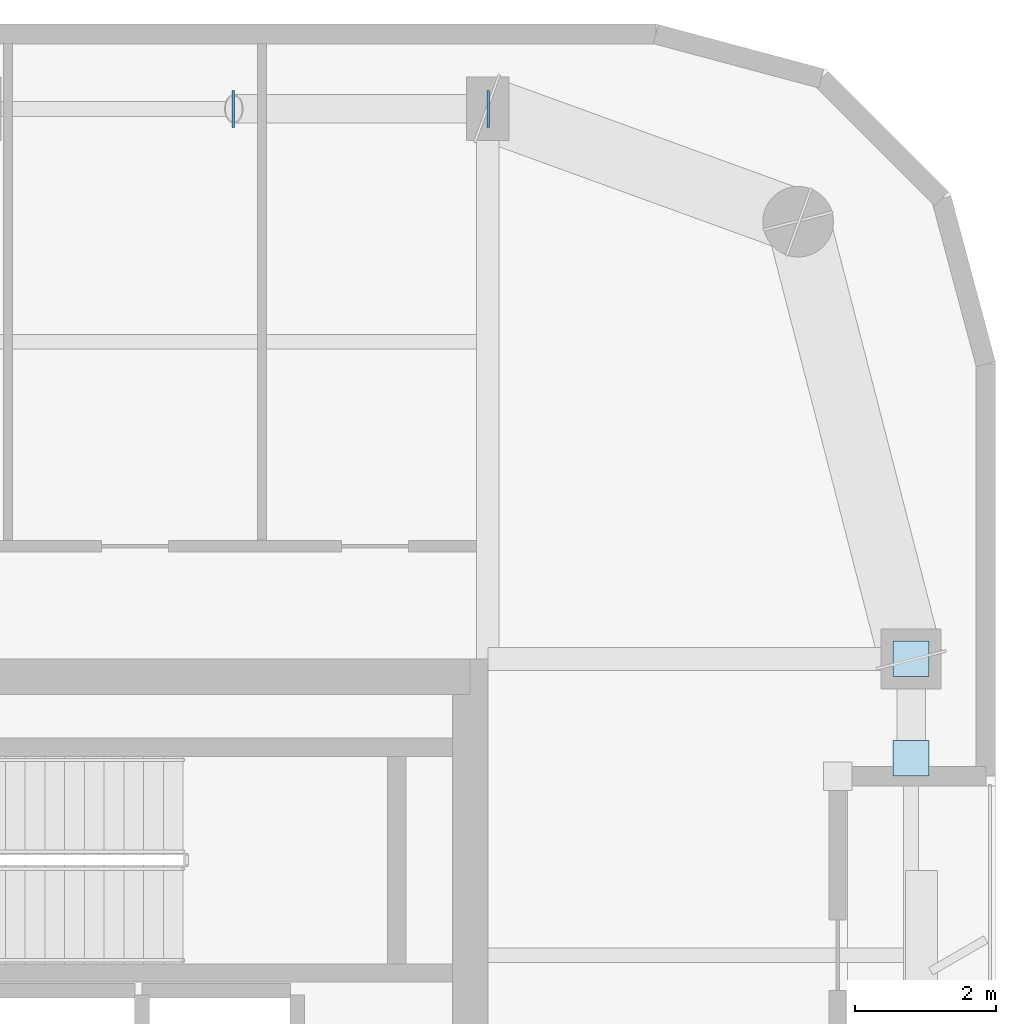
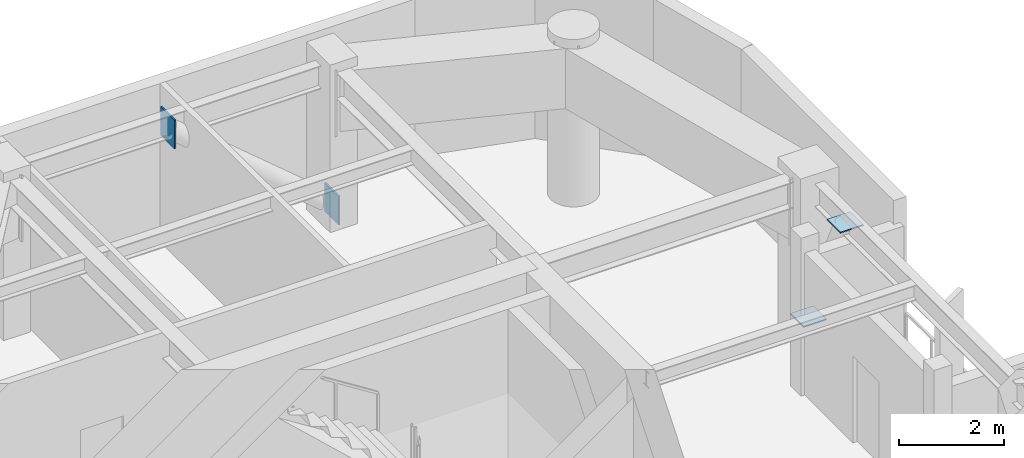
# One storey, part 9 of 16: 4 plates.
"""IFC4 building model written with IfcOpenShell, lengths in metres."""

from ifc_helpers import new_model, si_unit, direction, frame, origin, origin_2d, place, context, subcontext, project, spatial, rectangle, extrude, material, layer, layer_set, type_object, element, save


model = new_model("IFC4")

# Units and contexts
model_context = context("Model", 3, precision=1e-05, world=origin(), true_north=direction((0.0, 1.0)))
body_context = subcontext(model_context, "Body", "Model", "MODEL_VIEW")
ifc_project = project(units=[si_unit("LENGTHUNIT", "METRE"), si_unit("AREAUNIT", "SQUARE_METRE"), si_unit("VOLUMEUNIT", "CUBIC_METRE"), si_unit("PLANEANGLEUNIT", "RADIAN"), si_unit("MASSUNIT", "GRAM", prefix="KILO")], contexts=[model_context])

# Site, building, storey
site_placement = place(None, origin())
site = spatial("IfcSite", under=ifc_project, at=site_placement, CompositionType="ELEMENT")
building_placement = place(site_placement, origin())
building = spatial("IfcBuilding", under=site, at=building_placement, Name="Kiyonajd Concourse Tower", CompositionType="ELEMENT")
storey_placement = place(building_placement, frame((0.0, 0.0, 306.300048828125)))
storey = spatial("IfcBuildingStorey", under=building, at=storey_placement, Name="L77", CompositionType="ELEMENT", Elevation=306.300048828125)

# Plates
ifc_material = material(Name="Steel ASTM A572 Grade 50", Category="steel")
ifc_layer = layer(ifc_material, 0.028076171875)
ifc_layer_set = layer_set([ifc_layer], Name="Steel ASTM A572 Grade 50")
plate_type = type_object("IfcPlateType", Name="PL-CAP-450", PredefinedType="USERDEFINED", material=ifc_layer_set)
for number, where, z_axis, x_axis, name in (
    (1, (63.6083984375, 52.199951171875, -0.04248046875), (0.0, 0.0, 1.0), (1.0, 0.0, 0.0), "L77 Hollow Brace End Cap Plate PBN"),
    (2, (59.99169921875, 52.199951171875, 3.001708984375), (0.0, 0.0, 1.0), (-1.0, 0.0, 0.0), "L77 Hollow Brace Top Cap Plate PBN"),
):
    element("IfcPlate", number, at=place(storey_placement, frame(where, z_axis=z_axis, x_axis=x_axis)), inside=storey, type_object=plate_type, Name=name, ObjectType="CAP PLATE", PredefinedType="USERDEFINED", context=body_context, shape_type="SweptSolid", body=[
        extrude(rectangle(XDim=0.035888671875, YDim=0.52587890625, at=origin_2d()), origin(), (0.0, 0.0, 1.0), 0.6708984375),
    ])
for number, where, z_axis, x_axis, name in (
    (3, (69.60009765625, 44.404541015625, 0.27587890625), (0.0, 0.0, 1.0), (1.0, 0.0, 0.0), "L77 Hollow Brace End Cap Plate PBE"),
    (4, (69.60009765625, 42.995361328125, 3.32568359375), (0.0, 0.0, 1.0), (1.0, 0.0, 0.0), "L77 Hollow Brace Top Cap Plate PBE"),
):
    element("IfcPlate", number, at=place(storey_placement, frame(where, z_axis=z_axis, x_axis=x_axis)), inside=storey, type_object=plate_type, Name=name, ObjectType="CAP PLATE", PredefinedType="USERDEFINED", context=body_context, shape_type="SweptSolid", body=[
        extrude(rectangle(XDim=0.506103515625, YDim=0.506103515625, at=origin_2d()), origin(), (0.0, 0.0, 1.0), 0.028076171875),
    ])

save(model, "model.ifc")
